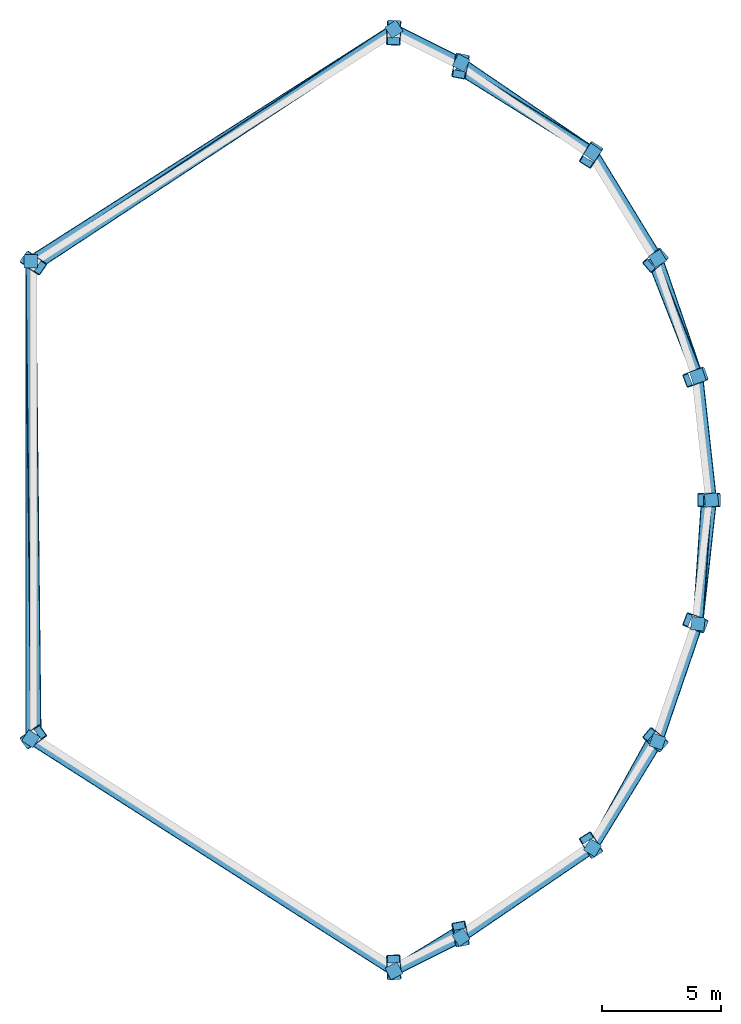
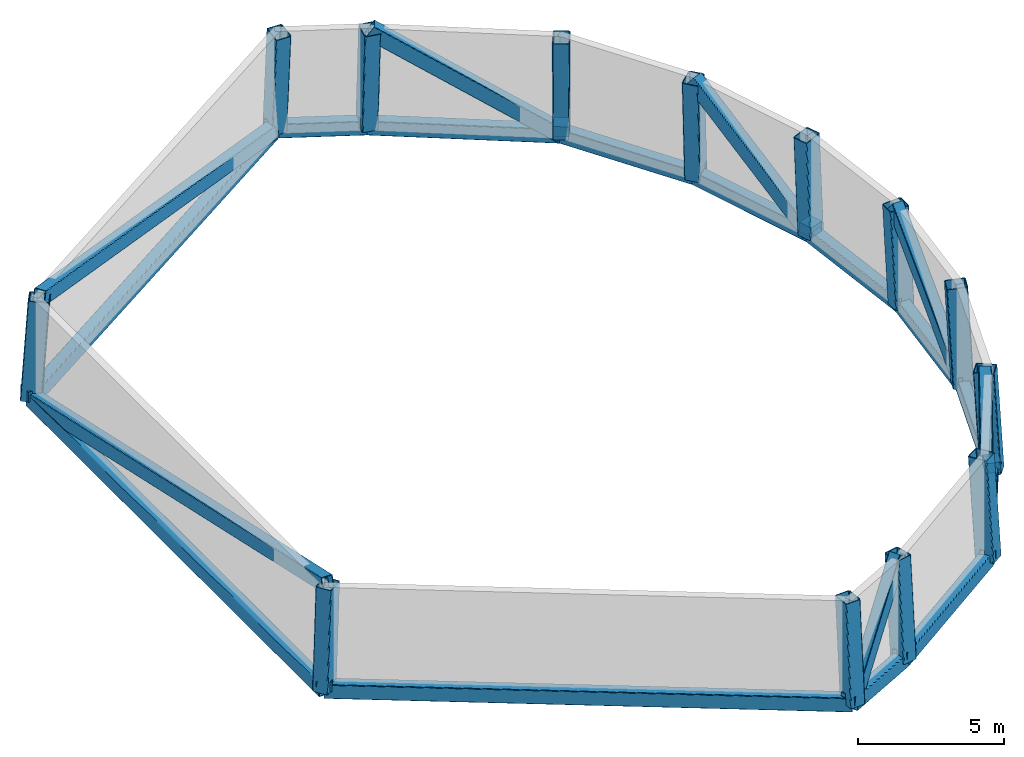
# One storey, part 1 of 2: 33 members, 13 discrete accessories.
"""IFC4 building model written with IfcOpenShell, lengths in metres."""

from ifc_helpers import new_model, si_unit, direction, frame, origin, origin_2d, place, context, subcontext, project, spatial, rectangle, hollow_rectangle, extrude, material, material_profile, profile_set, type_object, element, save


model = new_model("IFC4")

# Units and contexts
model_context = context("Model", 3, precision=1e-05, world=origin(), true_north=direction((0.0, 1.0)))
body_context = subcontext(model_context, "Body", "Model", "MODEL_VIEW")
ifc_project = project(units=[si_unit("LENGTHUNIT", "METRE"), si_unit("AREAUNIT", "SQUARE_METRE"), si_unit("VOLUMEUNIT", "CUBIC_METRE"), si_unit("PLANEANGLEUNIT", "RADIAN"), si_unit("MASSUNIT", "GRAM", prefix="KILO")], contexts=[model_context])

# Site, building, storey
site_placement = place(None, origin())
site = spatial("IfcSite", under=ifc_project, at=site_placement, CompositionType="ELEMENT")
building_placement = place(site_placement, origin())
building = spatial("IfcBuilding", under=site, at=building_placement, Name="Qorvath Tower", CompositionType="ELEMENT")
storey_placement = place(building_placement, frame((0.0, 0.0, 335.39990234375)))
storey = spatial("IfcBuildingStorey", under=building, at=storey_placement, Name="L78", CompositionType="ELEMENT", Elevation=335.39990234375)

# Members
ifc_material_1 = material(Name="Steel ASTM A572 Grade 50", Category="steel")
ifc_material_profile_1 = material_profile(ifc_material_1, hollow_rectangle(XDim=0.60009765625, YDim=0.75, WallThickness=0.031982421875, InnerFilletRadius=0.031982421875, OuterFilletRadius=0.06396484375, at=origin_2d()), Name="CROWN BOX 750x600x32")
ifc_profile_set_1 = profile_set([ifc_material_profile_1], Name="Steel ASTM A572 Grade 50")
member_type_1 = type_object("IfcMemberType", Name="MEM-CF1", PredefinedType="USERDEFINED", material=ifc_profile_set_1)
for number, where, z_axis, x_axis, name in (
    (1, (-34.50146484375, 10.054443359375, 0.0), (0.053247611687, -0.036890502214, 0.997899685688), (0.569489318089, 0.821998732713, 0.0), "CROWN FRAME Post L78-01"),
    (2, (-34.50146484375, -10.054443359375, 0.0), (0.053247611687, 0.036890502214, 0.997899685688), (-0.569489318089, 0.821998732713, 0.0), "CROWN FRAME Post L78-02"),
):
    element("IfcMember", number, at=place(storey_placement, frame(where, z_axis=z_axis, x_axis=x_axis)), inside=storey, type_object=member_type_1, Name=name, ObjectType="CROWN FRAME", PredefinedType="USERDEFINED", context=body_context, shape_type="SweptSolid", body=[
        extrude(hollow_rectangle(XDim=0.60009765625, YDim=0.75, WallThickness=0.031982421875, InnerFilletRadius=0.031982421875, OuterFilletRadius=0.06396484375, at=origin_2d()), origin(), (0.0, 0.0, 1.0), 4.208984375),
    ])
member_1_placement = place(storey_placement, frame((-19.2109375, -19.826904296875, 0.0), z_axis=(-0.002898586567, 0.072754522838, 0.997345666057), x_axis=(-0.999207305348, -0.03980905599, 0.0)))
element("IfcMember", 3, at=member_1_placement, inside=storey, type_object=member_type_1, Name="CROWN FRAME Post L78-03", ObjectType="CROWN FRAME", PredefinedType="USERDEFINED", context=body_context, shape_type="SweptSolid", body=[
    extrude(hollow_rectangle(XDim=0.60009765625, YDim=0.75, WallThickness=0.031982421875, InnerFilletRadius=0.031982421875, OuterFilletRadius=0.06396484375, at=origin_2d()), origin(), (0.0, 0.0, 1.0), 4.21142578125),
])
member_2_placement = place(storey_placement, frame((-16.378662109375, -18.410888671875, 0.0), z_axis=(-0.013279168477, 0.067671570361, 0.997619277204), x_axis=(-0.981285720924, -0.192557352264, 0.0)))
element("IfcMember", 4, at=member_2_placement, inside=storey, type_object=member_type_1, Name="CROWN FRAME Post L78-04", ObjectType="CROWN FRAME", PredefinedType="USERDEFINED", context=body_context, shape_type="SweptSolid", body=[
    extrude(hollow_rectangle(XDim=0.60009765625, YDim=0.75, WallThickness=0.031982421875, InnerFilletRadius=0.031982421875, OuterFilletRadius=0.06396484375, at=origin_2d()), origin(), (0.0, 0.0, 1.0), 4.210205078125),
])
member_3_placement = place(storey_placement, frame((-10.843017578125, -14.642822265625, 0.0), z_axis=(-0.033645196354, 0.053774305207, 0.997986134604), x_axis=(-0.847741322431, -0.5304098889, 0.0)))
element("IfcMember", 5, at=member_3_placement, inside=storey, type_object=member_type_1, Name="CROWN FRAME Post L78-05", ObjectType="CROWN FRAME", PredefinedType="USERDEFINED", context=body_context, shape_type="SweptSolid", body=[
    extrude(hollow_rectangle(XDim=0.60009765625, YDim=0.75, WallThickness=0.031982421875, InnerFilletRadius=0.031982421875, OuterFilletRadius=0.06396484375, at=origin_2d()), origin(), (0.0, 0.0, 1.0), 4.208740234375),
])
member_4_placement = place(storey_placement, frame((-8.10693359375, -10.171142578125, 0.0), z_axis=(-0.043696386442, 0.037429175638, 0.998343469264), x_axis=(-0.650542156733, -0.759470145768, 0.0)))
element("IfcMember", 6, at=member_4_placement, inside=storey, type_object=member_type_1, Name="CROWN FRAME Post L78-06", ObjectType="CROWN FRAME", PredefinedType="USERDEFINED", context=body_context, shape_type="SweptSolid", body=[
    extrude(hollow_rectangle(XDim=0.60009765625, YDim=0.75, WallThickness=0.031982421875, InnerFilletRadius=0.031982421875, OuterFilletRadius=0.06396484375, at=origin_2d()), origin(), (0.0, 0.0, 1.0), 4.207275390625),
])
member_5_placement = place(storey_placement, frame((-6.410888671875, -5.210693359375, 0.0), z_axis=(-0.04991687588, 0.019154150047, 0.998569689125), x_axis=(-0.358251499246, -0.933625119247, 0.0)))
element("IfcMember", 7, at=member_5_placement, inside=storey, type_object=member_type_1, Name="CROWN FRAME Post L78-07", ObjectType="CROWN FRAME", PredefinedType="USERDEFINED", context=body_context, shape_type="SweptSolid", body=[
    extrude(hollow_rectangle(XDim=0.60009765625, YDim=0.75, WallThickness=0.031982421875, InnerFilletRadius=0.031982421875, OuterFilletRadius=0.06396484375, at=origin_2d()), origin(), (0.0, 0.0, 1.0), 4.206298828125),
])
member_6_placement = place(storey_placement, frame((-5.836181640625, 0.0, 0.0), z_axis=(-0.052068312154, 0.0, 0.998643525423), x_axis=(0.0, -1.0, 0.0)))
element("IfcMember", 8, at=member_6_placement, inside=storey, type_object=member_type_1, Name="CROWN FRAME Post L78-08", ObjectType="CROWN FRAME", PredefinedType="USERDEFINED", context=body_context, shape_type="SweptSolid", body=[
    extrude(hollow_rectangle(XDim=0.60009765625, YDim=0.75, WallThickness=0.031982421875, InnerFilletRadius=0.031982421875, OuterFilletRadius=0.06396484375, at=origin_2d()), origin(), (0.0, 0.0, 1.0), 4.205810546875),
])
member_7_placement = place(storey_placement, frame((-6.410888671875, 5.210693359375, 0.0), z_axis=(-0.04991687588, -0.019154150047, 0.998569689125), x_axis=(0.358251499246, -0.933625119247, 0.0)))
element("IfcMember", 9, at=member_7_placement, inside=storey, type_object=member_type_1, Name="CROWN FRAME Post L78-09", ObjectType="CROWN FRAME", PredefinedType="USERDEFINED", context=body_context, shape_type="SweptSolid", body=[
    extrude(hollow_rectangle(XDim=0.60009765625, YDim=0.75, WallThickness=0.031982421875, InnerFilletRadius=0.031982421875, OuterFilletRadius=0.06396484375, at=origin_2d()), origin(), (0.0, 0.0, 1.0), 4.206298828125),
])
member_8_placement = place(storey_placement, frame((-8.10693359375, 10.171142578125, 0.0), z_axis=(-0.043696386442, -0.037429175638, 0.998343469264), x_axis=(0.650542156733, -0.759470145768, 0.0)))
element("IfcMember", 10, at=member_8_placement, inside=storey, type_object=member_type_1, Name="CROWN FRAME Post L78-10", ObjectType="CROWN FRAME", PredefinedType="USERDEFINED", context=body_context, shape_type="SweptSolid", body=[
    extrude(hollow_rectangle(XDim=0.60009765625, YDim=0.75, WallThickness=0.031982421875, InnerFilletRadius=0.031982421875, OuterFilletRadius=0.06396484375, at=origin_2d()), origin(), (0.0, 0.0, 1.0), 4.207275390625),
])
member_9_placement = place(storey_placement, frame((-10.843017578125, 14.642822265625, 0.0), z_axis=(-0.033645196354, -0.053774305207, 0.997986134604), x_axis=(0.847741322431, -0.5304098889, 0.0)))
element("IfcMember", 11, at=member_9_placement, inside=storey, type_object=member_type_1, Name="CROWN FRAME Post L78-11", ObjectType="CROWN FRAME", PredefinedType="USERDEFINED", context=body_context, shape_type="SweptSolid", body=[
    extrude(hollow_rectangle(XDim=0.60009765625, YDim=0.75, WallThickness=0.031982421875, InnerFilletRadius=0.031982421875, OuterFilletRadius=0.06396484375, at=origin_2d()), origin(), (0.0, 0.0, 1.0), 4.208740234375),
])
member_10_placement = place(storey_placement, frame((-16.378662109375, 18.410888671875, 0.0), z_axis=(-0.013279168477, -0.067671570361, 0.997619277204), x_axis=(0.981285720924, -0.192557352264, 0.0)))
element("IfcMember", 12, at=member_10_placement, inside=storey, type_object=member_type_1, Name="CROWN FRAME Post L78-12", ObjectType="CROWN FRAME", PredefinedType="USERDEFINED", context=body_context, shape_type="SweptSolid", body=[
    extrude(hollow_rectangle(XDim=0.60009765625, YDim=0.75, WallThickness=0.031982421875, InnerFilletRadius=0.031982421875, OuterFilletRadius=0.06396484375, at=origin_2d()), origin(), (0.0, 0.0, 1.0), 4.210205078125),
])
member_11_placement = place(storey_placement, frame((-19.2109375, 19.826904296875, 0.0), z_axis=(-0.002898586567, -0.072754522838, 0.997345666057), x_axis=(0.999207305348, -0.03980905599, 0.0)))
element("IfcMember", 13, at=member_11_placement, inside=storey, type_object=member_type_1, Name="CROWN FRAME Post L78-13", ObjectType="CROWN FRAME", PredefinedType="USERDEFINED", context=body_context, shape_type="SweptSolid", body=[
    extrude(hollow_rectangle(XDim=0.60009765625, YDim=0.75, WallThickness=0.031982421875, InnerFilletRadius=0.031982421875, OuterFilletRadius=0.06396484375, at=origin_2d()), origin(), (0.0, 0.0, 1.0), 4.21142578125),
])
ifc_material_2 = material(Name="Steel ASTM A572 Grade 50", Category="steel")
ifc_material_profile_2 = material_profile(ifc_material_2, hollow_rectangle(XDim=0.449951171875, YDim=0.60009765625, WallThickness=0.02490234375, InnerFilletRadius=0.02490234375, OuterFilletRadius=0.050048828125, at=origin_2d()), Name="CROWN BOX 600x450x25")
ifc_profile_set_2 = profile_set([ifc_material_profile_2], Name="Steel ASTM A572 Grade 50")
member_type_2 = type_object("IfcMemberType", Name="MEM-CF2", PredefinedType="USERDEFINED", material=ifc_profile_set_2)
member_12_placement = place(storey_placement, frame((-34.50146484375, 10.054443359375, 0.0), z_axis=(0.0, -1.0, 0.0), x_axis=(1.0, 0.0, 0.0)))
element("IfcMember", 14, at=member_12_placement, inside=storey, type_object=member_type_2, Name="CROWN FRAME Ring Beam L78-01", ObjectType="CROWN FRAME", PredefinedType="USERDEFINED", context=body_context, shape_type="SweptSolid", body=[
    extrude(hollow_rectangle(XDim=0.449951171875, YDim=0.60009765625, WallThickness=0.02490234375, InnerFilletRadius=0.02490234375, OuterFilletRadius=0.050048828125, at=origin_2d()), origin(), (0.0, 0.0, 1.0), 20.10888671875),
])
member_13_placement = place(storey_placement, frame((-34.50146484375, -10.054443359375, 0.0), z_axis=(0.842608419564, -0.538526741471, 0.0), x_axis=(0.538526741471, 0.842608419564, 0.0)))
element("IfcMember", 15, at=member_13_placement, inside=storey, type_object=member_type_2, Name="CROWN FRAME Ring Beam L78-02", ObjectType="CROWN FRAME", PredefinedType="USERDEFINED", context=body_context, shape_type="SweptSolid", body=[
    extrude(hollow_rectangle(XDim=0.449951171875, YDim=0.60009765625, WallThickness=0.02490234375, InnerFilletRadius=0.02490234375, OuterFilletRadius=0.050048828125, at=origin_2d()), origin(), (0.0, 0.0, 1.0), 18.146728515625),
])
member_14_placement = place(storey_placement, frame((-19.2109375, -19.826904296875, 0.0), z_axis=(0.894442610563, 0.447182755044, 0.0), x_axis=(-0.447182755044, 0.894442610563, 0.0)))
element("IfcMember", 16, at=member_14_placement, inside=storey, type_object=member_type_2, Name="CROWN FRAME Ring Beam L78-03", ObjectType="CROWN FRAME", PredefinedType="USERDEFINED", context=body_context, shape_type="SweptSolid", body=[
    extrude(hollow_rectangle(XDim=0.449951171875, YDim=0.60009765625, WallThickness=0.02490234375, InnerFilletRadius=0.02490234375, OuterFilletRadius=0.050048828125, at=origin_2d()), origin(), (0.0, 0.0, 1.0), 3.16650390625),
])
member_15_placement = place(storey_placement, frame((-16.378662109375, -18.410888671875, 0.0), z_axis=(0.826660589531, 0.562700870549, 0.0), x_axis=(-0.562700870549, 0.826660589531, 0.0)))
element("IfcMember", 17, at=member_15_placement, inside=storey, type_object=member_type_2, Name="CROWN FRAME Ring Beam L78-04", ObjectType="CROWN FRAME", PredefinedType="USERDEFINED", context=body_context, shape_type="SweptSolid", body=[
    extrude(hollow_rectangle(XDim=0.449951171875, YDim=0.60009765625, WallThickness=0.02490234375, InnerFilletRadius=0.02490234375, OuterFilletRadius=0.050048828125, at=origin_2d()), origin(), (0.0, 0.0, 1.0), 6.6962890625),
])
for number, where, z_axis, x_axis, name in (
    (18, (-10.843017578125, -14.642822265625, 0.0), (0.521920872437, 0.852993905555, 0.0), (-0.852993905555, 0.521920872437, 0.0), "CROWN FRAME Ring Beam L78-05"),
    (19, (-8.10693359375, -10.171142578125, 0.0), (0.323525298276, 0.946219520711, 0.0), (-0.946219520711, 0.323525298276, 0.0), "CROWN FRAME Ring Beam L78-06"),
):
    element("IfcMember", number, at=place(storey_placement, frame(where, z_axis=z_axis, x_axis=x_axis)), inside=storey, type_object=member_type_2, Name=name, ObjectType="CROWN FRAME", PredefinedType="USERDEFINED", context=body_context, shape_type="SweptSolid", body=[
        extrude(hollow_rectangle(XDim=0.449951171875, YDim=0.60009765625, WallThickness=0.02490234375, InnerFilletRadius=0.02490234375, OuterFilletRadius=0.050048828125, at=origin_2d()), origin(), (0.0, 0.0, 1.0), 5.242431640625),
    ])
for number, where, z_axis, x_axis, name in (
    (20, (-6.410888671875, -5.210693359375, 0.0), (0.109628985998, 0.993972577805, 0.0), (-0.993972577805, 0.109628985998, 0.0), "CROWN FRAME Ring Beam L78-07"),
    (21, (-5.836181640625, 0.0, 0.0), (-0.109628985998, 0.993972577805, 0.0), (-0.993972577805, -0.109628985998, 0.0), "CROWN FRAME Ring Beam L78-08"),
):
    element("IfcMember", number, at=place(storey_placement, frame(where, z_axis=z_axis, x_axis=x_axis)), inside=storey, type_object=member_type_2, Name=name, ObjectType="CROWN FRAME", PredefinedType="USERDEFINED", context=body_context, shape_type="SweptSolid", body=[
        extrude(hollow_rectangle(XDim=0.449951171875, YDim=0.60009765625, WallThickness=0.02490234375, InnerFilletRadius=0.02490234375, OuterFilletRadius=0.050048828125, at=origin_2d()), origin(), (0.0, 0.0, 1.0), 5.2421875),
    ])
for number, where, z_axis, x_axis, name in (
    (22, (-6.410888671875, 5.210693359375, 0.0), (-0.323525298276, 0.946219520711, 0.0), (-0.946219520711, -0.323525298276, 0.0), "CROWN FRAME Ring Beam L78-09"),
    (23, (-8.10693359375, 10.171142578125, 0.0), (-0.521920872437, 0.852993905555, 0.0), (-0.852993905555, -0.521920872437, 0.0), "CROWN FRAME Ring Beam L78-10"),
):
    element("IfcMember", number, at=place(storey_placement, frame(where, z_axis=z_axis, x_axis=x_axis)), inside=storey, type_object=member_type_2, Name=name, ObjectType="CROWN FRAME", PredefinedType="USERDEFINED", context=body_context, shape_type="SweptSolid", body=[
        extrude(hollow_rectangle(XDim=0.449951171875, YDim=0.60009765625, WallThickness=0.02490234375, InnerFilletRadius=0.02490234375, OuterFilletRadius=0.050048828125, at=origin_2d()), origin(), (0.0, 0.0, 1.0), 5.242431640625),
    ])
member_16_placement = place(storey_placement, frame((-10.843017578125, 14.642822265625, 0.0), z_axis=(-0.826660589531, 0.562700870549, 0.0), x_axis=(-0.562700870549, -0.826660589531, 0.0)))
element("IfcMember", 24, at=member_16_placement, inside=storey, type_object=member_type_2, Name="CROWN FRAME Ring Beam L78-11", ObjectType="CROWN FRAME", PredefinedType="USERDEFINED", context=body_context, shape_type="SweptSolid", body=[
    extrude(hollow_rectangle(XDim=0.449951171875, YDim=0.60009765625, WallThickness=0.02490234375, InnerFilletRadius=0.02490234375, OuterFilletRadius=0.050048828125, at=origin_2d()), origin(), (0.0, 0.0, 1.0), 6.6962890625),
])
member_17_placement = place(storey_placement, frame((-16.378662109375, 18.410888671875, 0.0), z_axis=(-0.894442610563, 0.447182755044, 0.0), x_axis=(-0.447182755044, -0.894442610563, 0.0)))
element("IfcMember", 25, at=member_17_placement, inside=storey, type_object=member_type_2, Name="CROWN FRAME Ring Beam L78-12", ObjectType="CROWN FRAME", PredefinedType="USERDEFINED", context=body_context, shape_type="SweptSolid", body=[
    extrude(hollow_rectangle(XDim=0.449951171875, YDim=0.60009765625, WallThickness=0.02490234375, InnerFilletRadius=0.02490234375, OuterFilletRadius=0.050048828125, at=origin_2d()), origin(), (0.0, 0.0, 1.0), 3.16650390625),
])
member_18_placement = place(storey_placement, frame((-19.2109375, 19.826904296875, 0.0), z_axis=(-0.842608419564, -0.538526741471, 0.0), x_axis=(0.538526741471, -0.842608419564, 0.0)))
element("IfcMember", 26, at=member_18_placement, inside=storey, type_object=member_type_2, Name="CROWN FRAME Ring Beam L78-13", ObjectType="CROWN FRAME", PredefinedType="USERDEFINED", context=body_context, shape_type="SweptSolid", body=[
    extrude(hollow_rectangle(XDim=0.449951171875, YDim=0.60009765625, WallThickness=0.02490234375, InnerFilletRadius=0.02490234375, OuterFilletRadius=0.050048828125, at=origin_2d()), origin(), (0.0, 0.0, 1.0), 18.146728515625),
])
member_19_placement = place(storey_placement, frame((-34.50146484375, 10.054443359375, 0.0), z_axis=(0.010990573559, -0.978496271194, 0.205971489657), x_axis=(0.999936925869, 0.011231397259, 0.0)))
element("IfcMember", 27, at=member_19_placement, inside=storey, type_object=member_type_2, Name="CROWN FRAME Diagonal Brace L78-01", ObjectType="CROWN FRAME", PredefinedType="USERDEFINED", context=body_context, shape_type="SweptSolid", body=[
    extrude(hollow_rectangle(XDim=0.449951171875, YDim=0.60009765625, WallThickness=0.02490234375, InnerFilletRadius=0.02490234375, OuterFilletRadius=0.050048828125, at=origin_2d()), origin(), (0.0, 0.0, 1.0), 20.39208984375),
])
member_20_placement = place(storey_placement, frame((-19.2109375, -19.826904296875, 0.0), z_axis=(0.522421941324, 0.320059238938, 0.790340052632), x_axis=(-0.522402044783, 0.852699304331, 0.0)))
element("IfcMember", 28, at=member_20_placement, inside=storey, type_object=member_type_2, Name="CROWN FRAME Diagonal Brace L78-03", ObjectType="CROWN FRAME", PredefinedType="USERDEFINED", context=body_context, shape_type="SweptSolid", body=[
    extrude(hollow_rectangle(XDim=0.449951171875, YDim=0.60009765625, WallThickness=0.02490234375, InnerFilletRadius=0.02490234375, OuterFilletRadius=0.050048828125, at=origin_2d()), origin(), (0.0, 0.0, 1.0), 5.314453125),
])
member_21_placement = place(storey_placement, frame((-10.843017578125, -14.642822265625, 0.0), z_axis=(0.378018723378, 0.685633538738, 0.622100068585), x_axis=(-0.875719107327, 0.482820924424, 0.0)))
element("IfcMember", 29, at=member_21_placement, inside=storey, type_object=member_type_2, Name="CROWN FRAME Diagonal Brace L78-05", ObjectType="CROWN FRAME", PredefinedType="USERDEFINED", context=body_context, shape_type="SweptSolid", body=[
    extrude(hollow_rectangle(XDim=0.449951171875, YDim=0.60009765625, WallThickness=0.02490234375, InnerFilletRadius=0.02490234375, OuterFilletRadius=0.050048828125, at=origin_2d()), origin(), (0.0, 0.0, 1.0), 6.751708984375),
])
member_22_placement = place(storey_placement, frame((-6.410888671875, -5.210693359375, 0.0), z_axis=(0.053074041369, 0.77746003085, 0.626688955195), x_axis=(-0.997677993267, 0.068107428018, 0.0)))
element("IfcMember", 30, at=member_22_placement, inside=storey, type_object=member_type_2, Name="CROWN FRAME Diagonal Brace L78-07", ObjectType="CROWN FRAME", PredefinedType="USERDEFINED", context=body_context, shape_type="SweptSolid", body=[
    extrude(hollow_rectangle(XDim=0.449951171875, YDim=0.60009765625, WallThickness=0.02490234375, InnerFilletRadius=0.02490234375, OuterFilletRadius=0.050048828125, at=origin_2d()), origin(), (0.0, 0.0, 1.0), 6.7021484375),
])
member_23_placement = place(storey_placement, frame((-6.410888671875, 5.210693359375, 0.0), z_axis=(-0.28261980387, 0.722075246953, 0.631453390361), x_axis=(-0.931212746259, -0.364476091404, 0.0)))
element("IfcMember", 31, at=member_23_placement, inside=storey, type_object=member_type_2, Name="CROWN FRAME Diagonal Brace L78-09", ObjectType="CROWN FRAME", PredefinedType="USERDEFINED", context=body_context, shape_type="SweptSolid", body=[
    extrude(hollow_rectangle(XDim=0.449951171875, YDim=0.60009765625, WallThickness=0.02490234375, InnerFilletRadius=0.02490234375, OuterFilletRadius=0.050048828125, at=origin_2d()), origin(), (0.0, 0.0, 1.0), 6.651611328125),
])
member_24_placement = place(storey_placement, frame((-10.843017578125, 14.642822265625, 0.0), z_axis=(-0.715693479617, 0.445828008283, 0.537606017698), x_axis=(-0.528735812268, -0.848786451839, 0.0)))
element("IfcMember", 32, at=member_24_placement, inside=storey, type_object=member_type_2, Name="CROWN FRAME Diagonal Brace L78-11", ObjectType="CROWN FRAME", PredefinedType="USERDEFINED", context=body_context, shape_type="SweptSolid", body=[
    extrude(hollow_rectangle(XDim=0.449951171875, YDim=0.60009765625, WallThickness=0.02490234375, InnerFilletRadius=0.02490234375, OuterFilletRadius=0.050048828125, at=origin_2d()), origin(), (0.0, 0.0, 1.0), 7.812744140625),
])
member_25_placement = place(storey_placement, frame((-19.2109375, 19.826904296875, 0.0), z_axis=(-0.813274594697, -0.535892502572, 0.226723751088), x_axis=(0.550220742453, -0.835019242039, 0.0)))
element("IfcMember", 33, at=member_25_placement, inside=storey, type_object=member_type_2, Name="CROWN FRAME Diagonal Brace L78-13", ObjectType="CROWN FRAME", PredefinedType="USERDEFINED", context=body_context, shape_type="SweptSolid", body=[
    extrude(hollow_rectangle(XDim=0.449951171875, YDim=0.60009765625, WallThickness=0.02490234375, InnerFilletRadius=0.02490234375, OuterFilletRadius=0.050048828125, at=origin_2d()), origin(), (0.0, 0.0, 1.0), 18.525634765625),
])

# Discrete accessories
ifc_material_3 = material(Name="Galvanised steel bracket", Category="steel")
discrete_accessory_type = type_object("IfcDiscreteAccessoryType", Name="DA-BRACKET", PredefinedType="BRACKET", material=ifc_material_3)
for number, where, z_axis, x_axis, name in (
    (34, (-34.50146484375, 10.054443359375, 0.0400390625), (0.0, 0.0, 1.0), (0.0, -1.0, 0.0), "Crown Screen Mounting Bracket L78-01"),
    (35, (-34.50146484375, -10.054443359375, 0.0400390625), (0.0, 0.0, 1.0), (0.842612216432, -0.538520800637, 0.0), "Crown Screen Mounting Bracket L78-02"),
    (36, (-19.2109375, -19.826904296875, 0.0400390625), (0.0, 0.0, 1.0), (0.894458809618, 0.447150352675, 0.0), "Crown Screen Mounting Bracket L78-03"),
    (37, (-16.378662109375, -18.410888671875, 0.0400390625), (0.0, 0.0, 1.0), (0.826642788571, 0.562727020947, 0.0), "Crown Screen Mounting Bracket L78-04"),
    (38, (-10.843017578125, -14.642822265625, 0.0400390625), (0.0, 0.0, 1.0), (0.521935934952, 0.85298468908, 0.0), "Crown Screen Mounting Bracket L78-05"),
    (39, (-8.10693359375, -10.171142578125, 0.0400390625), (0.0, 0.0, 1.0), (0.323512837136, 0.946223781253, 0.0), "Crown Screen Mounting Bracket L78-06"),
    (40, (-6.410888671875, -5.210693359375, 0.0400390625), (0.0, 0.0, 1.0), (0.109598996522, 0.993975885, 0.0), "Crown Screen Mounting Bracket L78-07"),
    (41, (-5.836181640625, 0.0, 0.0400390625), (0.0, 0.0, 1.0), (-0.109598996522, 0.993975885, 0.0), "Crown Screen Mounting Bracket L78-08"),
    (42, (-6.410888671875, 5.210693359375, 0.0400390625), (0.0, 0.0, 1.0), (-0.323512837136, 0.946223781253, 0.0), "Crown Screen Mounting Bracket L78-09"),
    (43, (-8.10693359375, 10.171142578125, 0.0400390625), (0.0, 0.0, 1.0), (-0.521935934952, 0.85298468908, 0.0), "Crown Screen Mounting Bracket L78-10"),
    (44, (-10.843017578125, 14.642822265625, 0.0400390625), (0.0, 0.0, 1.0), (-0.826642788571, 0.562727020947, 0.0), "Crown Screen Mounting Bracket L78-11"),
    (45, (-16.378662109375, 18.410888671875, 0.0400390625), (0.0, 0.0, 1.0), (-0.894458809618, 0.447150352675, 0.0), "Crown Screen Mounting Bracket L78-12"),
    (46, (-19.2109375, 19.826904296875, 0.0400390625), (0.0, 0.0, 1.0), (-0.842612216432, -0.538520800637, 0.0), "Crown Screen Mounting Bracket L78-13"),
):
    element("IfcDiscreteAccessory", number, at=place(storey_placement, frame(where, z_axis=z_axis, x_axis=x_axis)), inside=storey, type_object=discrete_accessory_type, Name=name, PredefinedType="NOTDEFINED", context=body_context, shape_type="SweptSolid", body=[
        extrude(rectangle(XDim=0.56005859375, YDim=0.56005859375, at=origin_2d()), origin(), (0.0, 0.0, 1.0), 0.419921875),
    ])

save(model, "model.ifc")
